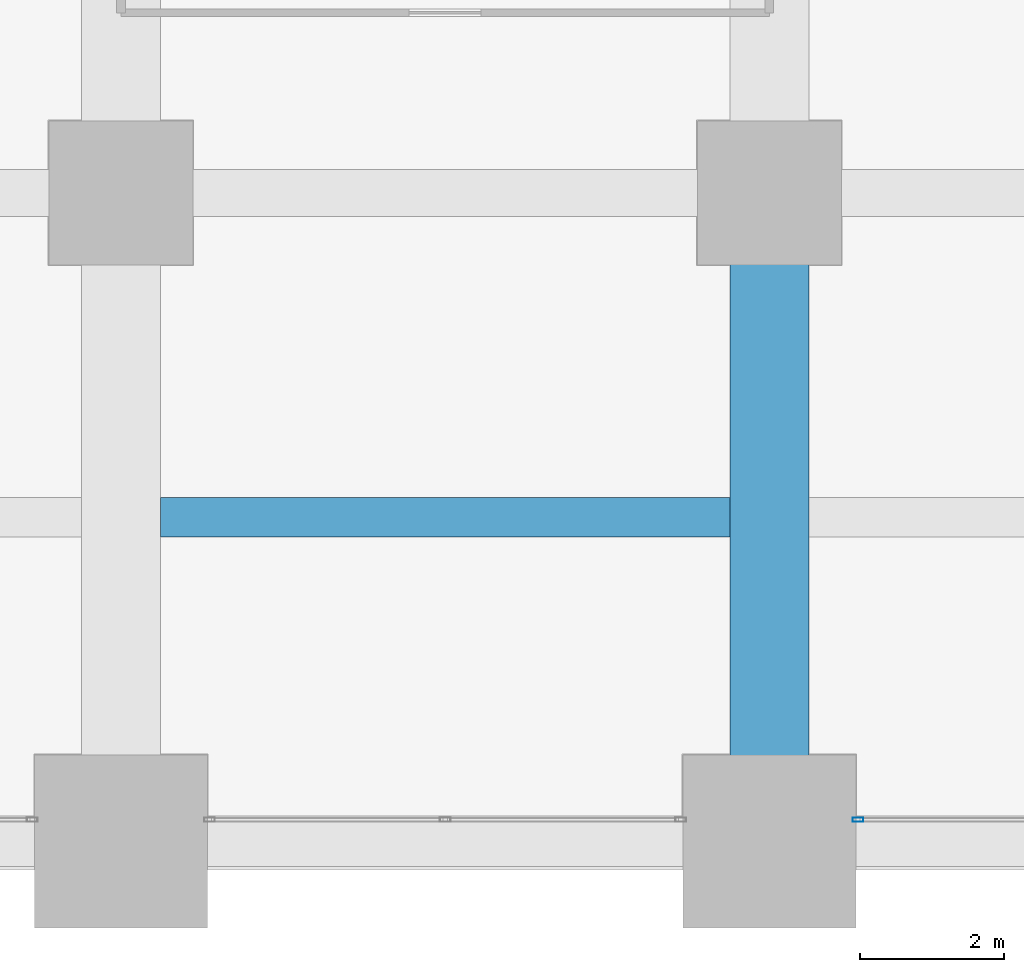
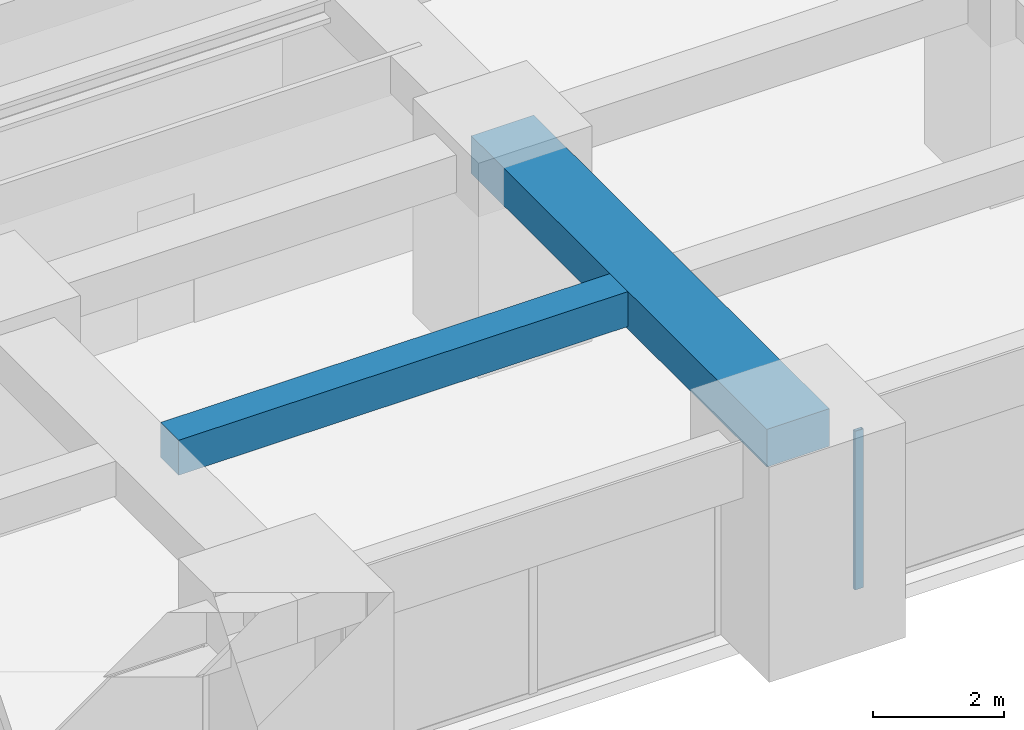
# One storey, part 14 of 40: 2 beams, 1 member, 1 element without a shape of its own.
"""IFC4 building model written with IfcOpenShell, lengths in metres."""

from ifc_helpers import new_model, si_unit, direction, frame, origin, origin_2d, place, context, subcontext, project, spatial, rectangle, hollow_rectangle, extrude, material, material_profile, profile_set, type_object, element, aggregate, save


model = new_model("IFC4")

# Units and contexts
model_context = context("Model", 3, precision=1e-05, world=origin(), true_north=direction((0.0, 1.0)))
body_context = subcontext(model_context, "Body", "Model", "MODEL_VIEW")
ifc_project = project(units=[si_unit("LENGTHUNIT", "METRE"), si_unit("AREAUNIT", "SQUARE_METRE"), si_unit("VOLUMEUNIT", "CUBIC_METRE"), si_unit("PLANEANGLEUNIT", "RADIAN"), si_unit("MASSUNIT", "GRAM", prefix="KILO")], contexts=[model_context])

# Site, building, storey
site_placement = place(None, origin())
site = spatial("IfcSite", under=ifc_project, at=site_placement, CompositionType="ELEMENT")
building_placement = place(site_placement, origin())
building = spatial("IfcBuilding", under=site, at=building_placement, Name="Zorevar Civic Tower", CompositionType="ELEMENT")
storey_placement = place(building_placement, frame((0.0, 0.0, 93.0)))
storey = spatial("IfcBuildingStorey", under=building, at=storey_placement, Name="L22", CompositionType="ELEMENT", Elevation=93.0)

# Beams
ifc_material_1 = material(Name="Concrete C50/60", Category="concrete")
ifc_material_profile_1 = material_profile(ifc_material_1, rectangle(XDim=1.10009765625, YDim=0.699951171875, at=origin_2d()), Name="RC 1100x700")
ifc_profile_set_1 = profile_set([ifc_material_profile_1], Name="Concrete C50/60")
beam_type_1 = type_object("IfcBeamType", Name="Beam RC 1100x700", PredefinedType="BEAM", material=ifc_profile_set_1)
beam_1_placement = place(storey_placement, frame((45.0, 0.0, 3.39990234375), z_axis=(0.0, 1.0, 0.0), x_axis=(-1.0, 0.0, 0.0)))
element("IfcBeam", 1, at=beam_1_placement, inside=storey, type_object=beam_type_1, Name="Girder L23", PredefinedType="BEAM", context=body_context, shape_type="SweptSolid", body=[
    extrude(rectangle(XDim=1.10009765625, YDim=0.699951171875, at=origin_2d()), origin(), (0.0, 0.0, 1.0), 9.0),
])
ifc_material_2 = material(Name="Concrete C50/60", Category="concrete")
ifc_material_profile_2 = material_profile(ifc_material_2, rectangle(XDim=0.550048828125, YDim=0.64990234375, at=origin_2d()), Name="RC 550x650")
ifc_profile_set_2 = profile_set([ifc_material_profile_2], Name="Concrete C50/60")
beam_type_2 = type_object("IfcBeamType", Name="Beam RC 550x650", PredefinedType="BEAM", material=ifc_profile_set_2)
beam_2_placement = place(storey_placement, frame((36.550048828125, 4.5, 3.425048828125), z_axis=(1.0, 0.0, 0.0), x_axis=(0.0, 1.0, 0.0)))
element("IfcBeam", 2, at=beam_2_placement, inside=storey, type_object=beam_type_2, Name="Secondary beam L23", PredefinedType="BEAM", context=body_context, shape_type="SweptSolid", body=[
    extrude(rectangle(XDim=0.550048828125, YDim=0.64990234375, at=origin_2d()), origin(), (0.0, 0.0, 1.0), 7.89990234375),
])

# Curtain wall, member
ifc_material_3 = material(Name="Dark grey solar-control glass in black aluminium frame", Category="aluminium")
curtain_wall_type = type_object("IfcCurtainWallType", Name="Curtain wall CW3 mid zone", PredefinedType="NOTDEFINED", material=ifc_material_3)
curtain_wall_placement = place(storey_placement, origin())
curtain_wall = element("IfcCurtainWall", 3, at=curtain_wall_placement, inside=storey, type_object=curtain_wall_type, Name="CW3 L22", PredefinedType="NOTDEFINED")
ifc_material_4 = material(Name="Aluminium, black anodised", Category="aluminium")
ifc_material_profile_3 = material_profile(ifc_material_4, hollow_rectangle(XDim=0.06005859375, YDim=0.14990234375, WallThickness=0.00390625, at=origin_2d()), Name="AL 150x60x4")
ifc_profile_set_3 = profile_set([ifc_material_profile_3], Name="Aluminium, black anodised")
member_type = type_object("IfcMemberType", Name="CW3 mullion AL 150x60x4", PredefinedType="MULLION", material=ifc_profile_set_3)
member_placement = place(storey_placement, frame((46.22998046875, 0.300048828125, 0.0), z_axis=(0.0, 0.0, 1.0), x_axis=(0.0, 1.0, 0.0)))
member = element("IfcMember", 4, at=member_placement, type_object=member_type, Name="CW3 mullion 1", PredefinedType="MULLION", context=body_context, shape_type="SweptSolid", body=[
    extrude(hollow_rectangle(XDim=0.06005859375, YDim=0.14990234375, WallThickness=0.00390625, at=origin_2d()), origin(), (0.0, 0.0, 1.0), 2.949951171875),
])
aggregate(curtain_wall, [member])

save(model, "model.ifc")
